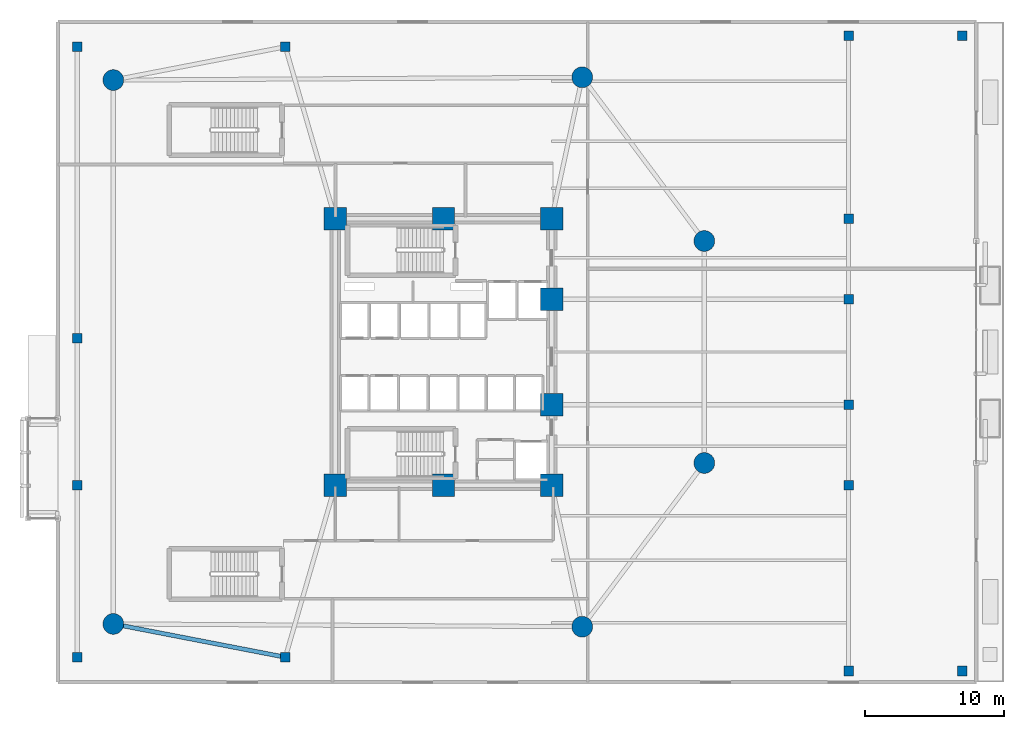
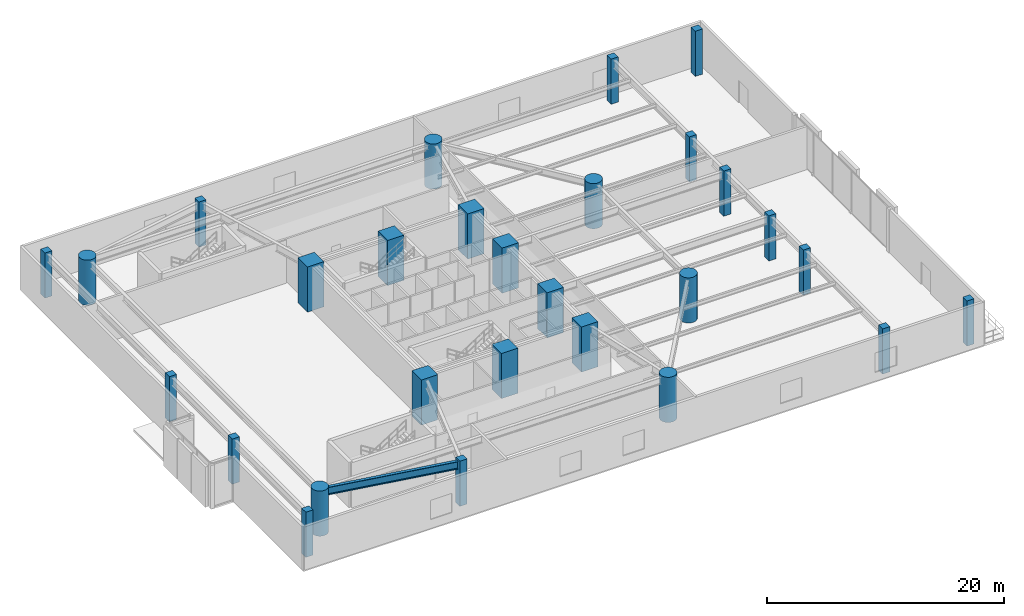
# One storey, part 1 of 15: 28 columns, 1 beam.
"""IFC4 building model written with IfcOpenShell, lengths in metres."""

import ifcopenshell
import ifcopenshell.guid

model = None  # the IFC model being written
_history = None  # IfcOwnerHistory: only IFC2X3 demands one
_inside = {}  # id of a spatial element -> (the spatial element, [elements in it])
_under = {}  # id of a project, library or spatial element -> (it, [spatial elements below it])
_declared = {}  # id of a project -> (the project, [libraries it declares])
_typed = {}  # id of a type object -> (the type object, [elements of that type])
_made_of = {}  # id of a material, layer set ... -> (it, [elements and type objects made of it])


def new_model(schema):
    """Start an empty IFC model of exactly this schema.

    Asked for "IFC4X3", IfcOpenShell would pick the latest addendum, in which some entities
    have other attributes; the version numbers below select the first issue.
    IFC2X3 requires an IfcOwnerHistory on every rooted entity: one is made here for all.
    """
    global model, _history
    if schema == "IFC4X3":
        model = ifcopenshell.file(schema_version=(4, 3, 0, 0))
    else:
        model = ifcopenshell.file(schema=schema)
    _inside.clear()
    _under.clear()
    _declared.clear()
    _typed.clear()
    _made_of.clear()
    _history = None
    if model.schema == "IFC2X3":
        org = make("IfcOrganization", Name="unknown")
        user = make(
            "IfcPersonAndOrganization",
            ThePerson=make("IfcPerson", FamilyName="unknown"),
            TheOrganization=org,
        )
        app = make(
            "IfcApplication",
            ApplicationDeveloper=org,
            Version="unknown",
            ApplicationFullName="unknown",
            ApplicationIdentifier="unknown",
        )
        _history = make(
            "IfcOwnerHistory",
            OwningUser=user,
            OwningApplication=app,
            ChangeAction="ADDED",
            CreationDate=0,
        )
    return model


def make(cls, **values):
    """One entity of the class cls with the attributes given. An attribute that is None is left unset."""
    return model.create_entity(
        cls, **{name: value for name, value in values.items() if value is not None}
    )


def rooted(cls, **values):
    """An entity with a GlobalId (a new one), such as an element, a storey or a relation."""
    return make(cls, GlobalId=ifcopenshell.guid.new(), OwnerHistory=_history, **values)


def si_unit(unit_type, name, prefix=None):
    """IfcSIUnit, for example si_unit("LENGTHUNIT", "METRE", prefix="MILLI")."""
    return make("IfcSIUnit", UnitType=unit_type, Prefix=prefix, Name=name)


def assignment(units):
    """IfcUnitAssignment: the units of a project."""
    return None if units is None else make("IfcUnitAssignment", Units=units)


def point(xyz):
    """IfcCartesianPoint."""
    return None if xyz is None else make("IfcCartesianPoint", Coordinates=xyz)


def direction(xyz):
    """IfcDirection."""
    return None if xyz is None else make("IfcDirection", DirectionRatios=xyz)


def frame(location, z_axis=None, x_axis=None):
    """IfcAxis2Placement3D, a coordinate frame: its origin and axes. An axis left out is left unset."""
    return make(
        "IfcAxis2Placement3D",
        Location=point(location),
        Axis=direction(z_axis),
        RefDirection=direction(x_axis),
    )


def frame_2d(location, x_axis=None):
    """IfcAxis2Placement2D, a coordinate frame in the plane: its origin and x axis."""
    return make(
        "IfcAxis2Placement2D", Location=point(location), RefDirection=direction(x_axis)
    )


def origin():
    """The frame at (0, 0, 0) with its axes left unset."""
    return frame((0.0, 0.0, 0.0))


def origin_2d():
    """The frame at (0, 0) in the plane with its x axis left unset."""
    return frame_2d((0.0, 0.0))


def place(relative_to, where):
    """IfcLocalPlacement: puts the frame where relative to a parent placement (None: the world)."""
    return make(
        "IfcLocalPlacement", PlacementRelTo=relative_to, RelativePlacement=where
    )


def context(
    kind, dimensions, precision=None, world=None, true_north=None, identifier=None
):
    """IfcGeometricRepresentationContext, for example the 3D "Model" context."""
    return make(
        "IfcGeometricRepresentationContext",
        ContextIdentifier=identifier,
        ContextType=kind,
        CoordinateSpaceDimension=dimensions,
        Precision=precision,
        WorldCoordinateSystem=world,
        TrueNorth=true_north,
    )


def subcontext(parent, identifier, kind, view, scale=None):
    """IfcGeometricRepresentationSubContext, for example "Body" below "Model"."""
    return make(
        "IfcGeometricRepresentationSubContext",
        ContextIdentifier=identifier,
        ContextType=kind,
        ParentContext=parent,
        TargetScale=scale,
        TargetView=view,
    )


def project(units=None, contexts=None):
    """IfcProject with its units and contexts."""
    return rooted(
        "IfcProject",
        Name="project",
        RepresentationContexts=contexts,
        UnitsInContext=assignment(units),
    )


def spatial(cls, under=None, at=None, **own):
    """A site, building, storey or space (cls), placed at a placement, below another one or the project."""
    s = rooted(cls, ObjectPlacement=at, **own)
    if under is not None:
        _under.setdefault(under.id(), (under, []))[1].append(s)
    return s


def profile(cls, at=None, kind="AREA", **sizes):
    """A parametric profile (cls). Its sizes go by their IFC names, for example OverallWidth=200.0."""
    return make(cls, ProfileType=kind, Position=at, **sizes)


def rectangle(**sizes):
    """IfcRectangleProfileDef."""
    return profile("IfcRectangleProfileDef", **sizes)


def circle(**sizes):
    """IfcCircleProfileDef."""
    return profile("IfcCircleProfileDef", **sizes)


def i_section(**sizes):
    """IfcIShapeProfileDef."""
    return profile("IfcIShapeProfileDef", **sizes)


def extrude(swept, where, along, depth):
    """IfcExtrudedAreaSolid: the profile swept, set in the frame where, extruded along a direction by depth."""
    return make(
        "IfcExtrudedAreaSolid",
        SweptArea=swept,
        Position=where,
        ExtrudedDirection=direction(along),
        Depth=depth,
    )


def shape(context_of_items, identifier, shape_type, items):
    """IfcShapeRepresentation: the items that make up one representation, for example the "Body"."""
    return make(
        "IfcShapeRepresentation",
        ContextOfItems=context_of_items,
        RepresentationIdentifier=identifier,
        RepresentationType=shape_type,
        Items=items,
    )


def material(Name=None, Category=None):
    """IfcMaterial."""
    return make("IfcMaterial", Name=Name, Category=Category)


def material_profile(
    of_material, cross_section, Name=None, Category=None, Priority=None
):
    """IfcMaterialProfile: a cross section and its material."""
    return make(
        "IfcMaterialProfile",
        Name=Name,
        Material=of_material,
        Profile=cross_section,
        Priority=Priority,
        Category=Category,
    )


def profile_set(profiles, Name=None, composite=None):
    """IfcMaterialProfileSet."""
    return make(
        "IfcMaterialProfileSet",
        Name=Name,
        MaterialProfiles=profiles,
        CompositeProfile=composite,
    )


def made_of(thing, what):
    """Note that an element or type object is made of a material, layer set ...; save() writes the relation."""
    if what is not None:
        _made_of.setdefault(what.id(), (what, []))[1].append(thing)
    return thing


def type_object(cls, material=None, **own):
    """A type object (cls), such as IfcWallType, which elements share."""
    return made_of(rooted(cls, **own), material)


def element(
    cls,
    number,
    at=None,
    inside=None,
    cuts=None,
    type_object=None,
    material=None,
    context=None,
    identifier="Body",
    shape_type=None,
    held_by="IfcProductDefinitionShape",
    body=None,
    shapes=None,
    **own,
):
    """One element of the class cls, such as IfcWall. Its Tag is "e" and its number.

    at: its placement. inside: the storey or other place that contains it. cuts: it is an
    opening in that element (IfcRelVoidsElement). A single representation is given by context,
    identifier, shape_type and body (its items); several are given by shapes. held_by: the class
    of the entity that holds the representations. save() writes the other relations.
    """
    e = rooted(cls, Tag="e%d" % number, ObjectPlacement=at, **own)
    if body is not None:
        shapes = [shape(context, identifier, shape_type, body)]
    if shapes is not None:
        e.Representation = make(held_by, Representations=shapes)
    if inside is not None:
        _inside.setdefault(inside.id(), (inside, []))[1].append(e)
    if cuts is not None:
        rooted(
            "IfcRelVoidsElement", RelatingBuildingElement=cuts, RelatedOpeningElement=e
        )
    if type_object is not None:
        _typed.setdefault(type_object.id(), (type_object, []))[1].append(e)
    return made_of(e, material)


def aggregate(whole, parts):
    """IfcRelAggregates: a whole, such as a stair, and the parts it consists of."""
    return rooted("IfcRelAggregates", RelatingObject=whole, RelatedObjects=parts)


def save(model, path):
    """Write the relations noted so far, then the file.

    IfcRelAggregates (storeys below a building ...), IfcRelContainedInSpatialStructure (elements
    in a storey), IfcRelDefinesByType, IfcRelAssociatesMaterial and IfcRelDeclares: one each for
    every whole, place, type object, material and project.
    """
    for whole, parts in _under.values():
        aggregate(whole, parts)
    for where, things in _inside.values():
        rooted(
            "IfcRelContainedInSpatialStructure",
            RelatedElements=things,
            RelatingStructure=where,
        )
    for kind, things in _typed.values():
        rooted("IfcRelDefinesByType", RelatedObjects=things, RelatingType=kind)
    for what, things in _made_of.values():
        rooted("IfcRelAssociatesMaterial", RelatedObjects=things, RelatingMaterial=what)
    for by, libraries in _declared.values():
        rooted("IfcRelDeclares", RelatingContext=by, RelatedDefinitions=libraries)
    model.write(path)


model = new_model("IFC4")

# Units and contexts
model_context = context("Model", 3, precision=1e-05, world=origin(), true_north=direction((0.0, 1.0)))
body_context = subcontext(model_context, "Body", "Model", "MODEL_VIEW")
ifc_project = project(units=[si_unit("LENGTHUNIT", "METRE"), si_unit("AREAUNIT", "SQUARE_METRE"), si_unit("VOLUMEUNIT", "CUBIC_METRE"), si_unit("PLANEANGLEUNIT", "RADIAN"), si_unit("MASSUNIT", "GRAM", prefix="KILO")], contexts=[model_context])

# Site, building, storey
site_placement = place(None, origin())
site = spatial("IfcSite", under=ifc_project, at=site_placement, CompositionType="ELEMENT")
building_placement = place(site_placement, origin())
building = spatial("IfcBuilding", under=site, at=building_placement, Name="An Khanh Terracotta Commons", CompositionType="ELEMENT")
storey_placement = place(building_placement, frame((0.0, 0.0, 14.699951171875)))
storey = spatial("IfcBuildingStorey", under=building, at=storey_placement, Name="L04", CompositionType="ELEMENT", Elevation=14.699951171875)

# Columns
ifc_material_1 = material(Name="Concrete C70/85", Category="concrete")
ifc_material_profile_1 = material_profile(ifc_material_1, circle(Radius=0.75, at=origin_2d()), Name="CFST1500")
ifc_profile_set_1 = profile_set([ifc_material_profile_1], Name="Concrete C70/85")
column_type_1 = type_object("IfcColumnType", Name="COL-CFST1500", PredefinedType="COLUMN", material=ifc_profile_set_1)
for number, where, z_axis, x_axis, name in (
    (1, (5.60009765625, 4.39990234375, 0.0), (0.0, 0.0, 1.0), (1.0, 0.0, 0.0), "L04 Mega-Column MC-01"),
    (2, (39.39990234375, 4.199951171875, 0.0), (0.0, 0.0, 1.0), (1.0, 0.0, 0.0), "L04 Mega-Column MC-02"),
    (3, (48.199951171875, 16.0, 0.0), (0.0, 0.0, 1.0), (1.0, 0.0, 0.0), "L04 Mega-Column MC-03"),
    (4, (48.199951171875, 32.0, 0.0), (0.0, 0.0, 1.0), (1.0, 0.0, 0.0), "L04 Mega-Column MC-04"),
    (5, (39.39990234375, 43.800048828125, 0.0), (0.0, 0.0, 1.0), (1.0, 0.0, 0.0), "L04 Mega-Column MC-05"),
    (6, (5.60009765625, 43.60009765625, 0.0), (0.0, 0.0, 1.0), (1.0, 0.0, 0.0), "L04 Mega-Column MC-06"),
):
    element("IfcColumn", number, at=place(storey_placement, frame(where, z_axis=z_axis, x_axis=x_axis)), inside=storey, type_object=column_type_1, Name=name, PredefinedType="COLUMN", context=body_context, shape_type="SweptSolid", body=[
        extrude(circle(Radius=0.75, at=origin_2d()), origin(), (0.0, 0.0, 1.0), 4.650146484375),
    ])
ifc_material_profile_2 = material_profile(ifc_material_1, rectangle(XDim=1.60009765625, YDim=1.60009765625, at=origin_2d()), Name="RC1600x1600")
ifc_profile_set_2 = profile_set([ifc_material_profile_2], Name="Concrete C70/85")
column_type_2 = type_object("IfcColumnType", Name="COL-RC1600x1600", PredefinedType="COLUMN", material=ifc_profile_set_2)
for number, where, z_axis, x_axis, name in (
    (7, (21.60009765625, 14.39990234375, 0.0), (0.0, 0.0, 1.0), (1.0, 0.0, 0.0), "L04 Core Boundary Column CC-01"),
    (8, (29.39990234375, 14.39990234375, 0.0), (0.0, 0.0, 1.0), (1.0, 0.0, 0.0), "L04 Core Boundary Column CC-02"),
    (9, (37.199951171875, 14.39990234375, 0.0), (0.0, 0.0, 1.0), (1.0, 0.0, 0.0), "L04 Core Boundary Column CC-03"),
    (10, (37.199951171875, 20.199951171875, 0.0), (0.0, 0.0, 1.0), (1.0, 0.0, 0.0), "L04 Core Boundary Column CC-04"),
    (11, (37.199951171875, 27.800048828125, 0.0), (0.0, 0.0, 1.0), (1.0, 0.0, 0.0), "L04 Core Boundary Column CC-05"),
    (12, (37.199951171875, 33.60009765625, 0.0), (0.0, 0.0, 1.0), (1.0, 0.0, 0.0), "L04 Core Boundary Column CC-06"),
    (13, (29.39990234375, 33.60009765625, 0.0), (0.0, 0.0, 1.0), (1.0, 0.0, 0.0), "L04 Core Boundary Column CC-07"),
    (14, (21.60009765625, 33.60009765625, 0.0), (0.0, 0.0, 1.0), (1.0, 0.0, 0.0), "L04 Core Boundary Column CC-08"),
):
    element("IfcColumn", number, at=place(storey_placement, frame(where, z_axis=z_axis, x_axis=x_axis)), inside=storey, type_object=column_type_2, Name=name, PredefinedType="COLUMN", context=body_context, shape_type="SweptSolid", body=[
        extrude(rectangle(XDim=1.60009765625, YDim=1.60009765625, at=origin_2d()), origin(), (0.0, 0.0, 1.0), 4.650146484375),
    ])
ifc_material_2 = material(Name="Concrete C50/60", Category="concrete")
ifc_material_profile_3 = material_profile(ifc_material_2, rectangle(XDim=0.699951171875, YDim=0.699951171875, at=origin_2d()), Name="RC700x700")
ifc_profile_set_3 = profile_set([ifc_material_profile_3], Name="Concrete C50/60")
column_type_3 = type_object("IfcColumnType", Name="COL-RC700x700", PredefinedType="COLUMN", material=ifc_profile_set_3)
for number, where, z_axis, x_axis, name in (
    (15, (3.0, 2.0, 0.0), (0.0, 0.0, 1.0), (1.0, 0.0, 0.0), "L04 Podium Column PC-01"),
    (16, (18.0, 2.0, 0.0), (0.0, 0.0, 1.0), (1.0, 0.0, 0.0), "L04 Podium Column PC-02"),
    (17, (58.60009765625, 1.0, 0.0), (0.0, 0.0, 1.0), (1.0, 0.0, 0.0), "L04 Podium Column PC-03"),
    (18, (58.60009765625, 46.800048828125, 0.0), (0.0, 0.0, 1.0), (1.0, 0.0, 0.0), "L04 Podium Column PC-09"),
    (19, (18.0, 46.0, 0.0), (0.0, 0.0, 1.0), (1.0, 0.0, 0.0), "L04 Podium Column PC-10"),
    (20, (3.0, 46.0, 0.0), (0.0, 0.0, 1.0), (1.0, 0.0, 0.0), "L04 Podium Column PC-11"),
    (21, (3.0, 14.39990234375, 0.0), (0.0, 0.0, 1.0), (1.0, 0.0, 0.0), "L04 Podium Column PC-12"),
    (22, (3.0, 25.0, 0.0), (0.0, 0.0, 1.0), (1.0, 0.0, 0.0), "L04 Podium Column PC-17"),
    (23, (58.60009765625, 20.199951171875, 0.0), (0.0, 0.0, 1.0), (1.0, 0.0, 0.0), "L04 Podium Column PC-13"),
    (24, (58.60009765625, 27.800048828125, 0.0), (0.0, 0.0, 1.0), (1.0, 0.0, 0.0), "L04 Podium Column PC-14"),
    (25, (58.60009765625, 14.39990234375, 0.0), (0.0, 0.0, 1.0), (1.0, 0.0, 0.0), "L04 Podium Column PC-18"),
    (26, (58.60009765625, 33.60009765625, 0.0), (0.0, 0.0, 1.0), (1.0, 0.0, 0.0), "L04 Podium Column PC-19"),
    (27, (66.800048828125, 1.0, 0.0), (0.0, 0.0, 1.0), (1.0, 0.0, 0.0), "L04 Podium Column PC-15"),
    (28, (66.800048828125, 46.800048828125, 0.0), (0.0, 0.0, 1.0), (1.0, 0.0, 0.0), "L04 Podium Column PC-16"),
):
    element("IfcColumn", number, at=place(storey_placement, frame(where, z_axis=z_axis, x_axis=x_axis)), inside=storey, type_object=column_type_3, Name=name, PredefinedType="COLUMN", context=body_context, shape_type="SweptSolid", body=[
        extrude(rectangle(XDim=0.699951171875, YDim=0.699951171875, at=origin_2d()), origin(), (0.0, 0.0, 1.0), 4.650146484375),
    ])

# Beam
ifc_material_3 = material(Name="Steel S355J2", Category="steel")
ifc_material_profile_4 = material_profile(ifc_material_3, i_section(OverallWidth=0.300048828125, OverallDepth=0.800048828125, WebThickness=0.017578125, FlangeThickness=0.032958984375, FilletRadius=0.030029296875, at=origin_2d()), Name="HEB800")
ifc_profile_set_4 = profile_set([ifc_material_profile_4], Name="Steel S355J2")
beam_type = type_object("IfcBeamType", Name="BM-HEB800", PredefinedType="BEAM", material=ifc_profile_set_4)
beam_placement = place(storey_placement, frame((5.60009765625, 4.39990234375, 4.050048828125), z_axis=(0.981781013874, -0.190015896168, 0.0), x_axis=(0.190015896168, 0.981781013874, 0.0)))
element("IfcBeam", 29, at=beam_placement, inside=storey, type_object=beam_type, Name="L04 Primary Podium Girder 4", PredefinedType="BEAM", context=body_context, shape_type="SweptSolid", body=[
    extrude(i_section(OverallWidth=0.300048828125, OverallDepth=0.800048828125, WebThickness=0.017578125, FlangeThickness=0.032958984375, FilletRadius=0.030029296875, at=origin_2d()), origin(), (0.0, 0.0, 1.0), 12.630126953125),
])

save(model, "model.ifc")
